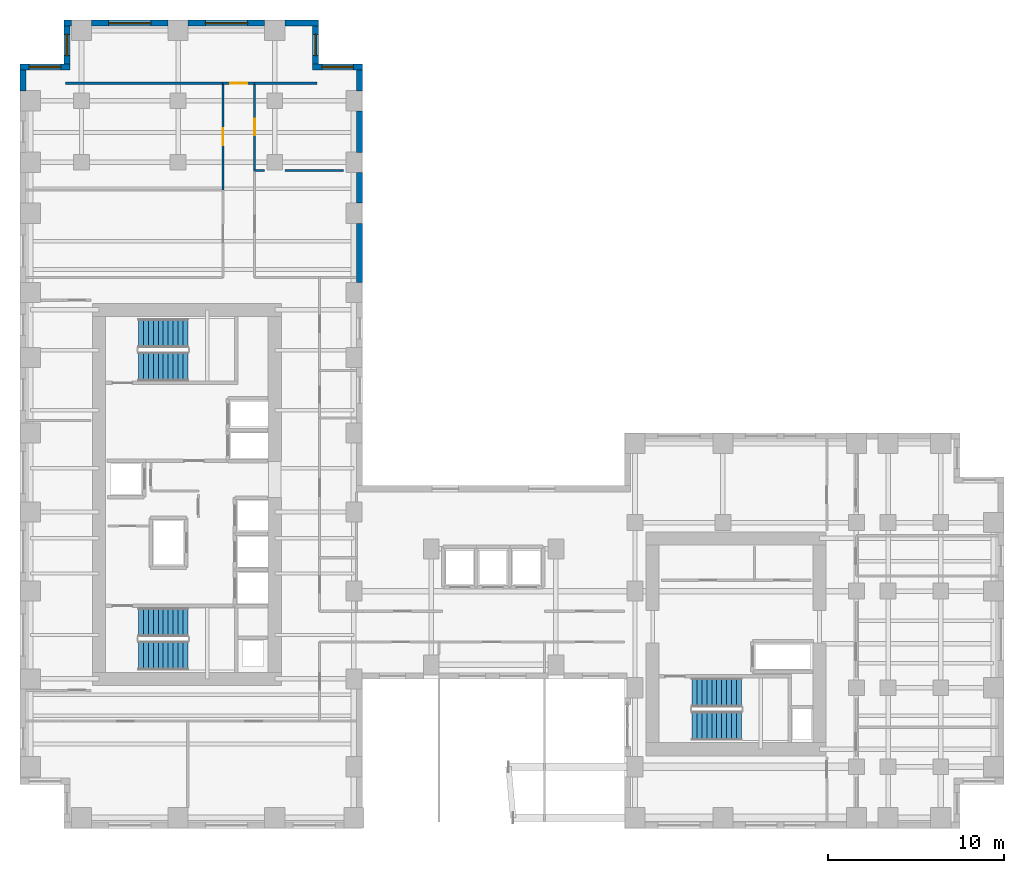
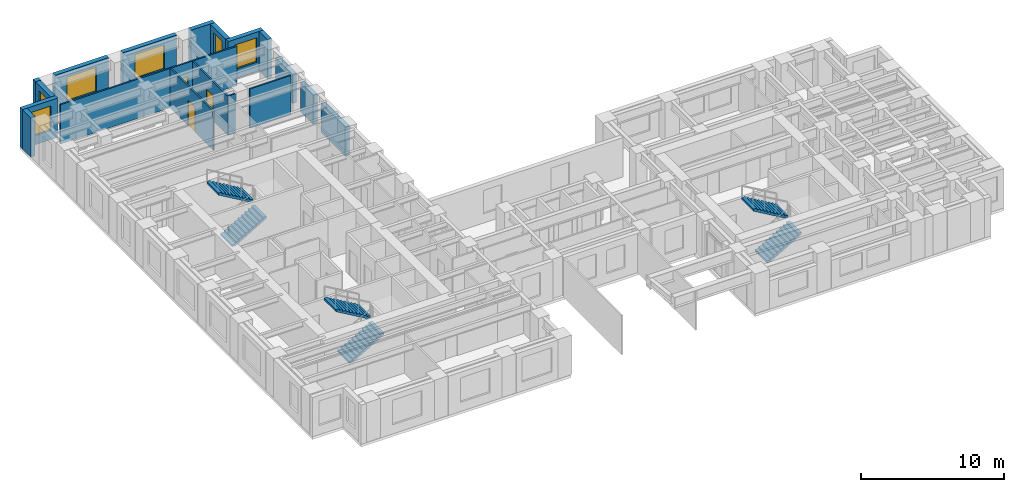
# One storey, part 12 of 14: 20 walls, 6 stair flights, 6 windows, 3 doors, 9 openings, 3 elements without a shape of their own.
"""IFC4 building model written with IfcOpenShell, lengths in metres."""

from ifc_helpers import new_model, si_unit, direction, frame, frame_2d, origin, place, context, subcontext, project, spatial, polyline, rectangle, outline, extrude, source, transform, mapped, material, layer, layer_set, type_object, element, fill, aggregate, save


model = new_model("IFC4")

# Units and contexts
model_context = context("Model", 3, precision=1e-05, world=origin(), true_north=direction((0.0, 1.0)))
body_context = subcontext(model_context, "Body", "Model", "MODEL_VIEW")
ifc_project = project(units=[si_unit("LENGTHUNIT", "METRE"), si_unit("AREAUNIT", "SQUARE_METRE"), si_unit("VOLUMEUNIT", "CUBIC_METRE"), si_unit("PLANEANGLEUNIT", "RADIAN"), si_unit("MASSUNIT", "GRAM", prefix="KILO")], contexts=[model_context])

# Site, building, storey
site_placement = place(None, origin())
site = spatial("IfcSite", under=ifc_project, at=site_placement, CompositionType="ELEMENT")
building_placement = place(site_placement, origin())
building = spatial("IfcBuilding", under=site, at=building_placement, Name="Kharzan Plaza Tower", CompositionType="ELEMENT")
storey_placement = place(building_placement, frame((0.0, 0.0, 88.199951171875)))
storey = spatial("IfcBuildingStorey", under=building, at=storey_placement, Name="L23", CompositionType="ELEMENT", Elevation=88.199951171875)

# Wall, opening, window
ifc_material_1 = material(Name="Concrete C40/50", Category="concrete")
ifc_layer_1 = layer(ifc_material_1, 0.35009765625)
ifc_layer_set_1 = layer_set([ifc_layer_1], Name="Concrete C40/50")
wall_type_1 = type_object("IfcWallType", Name="WL-EXT-MAS-Z2", PredefinedType="SOLIDWALL", material=ifc_layer_set_1)
wall_1_placement = place(storey_placement, frame((19.5, 43.324951171875, 0.0), z_axis=(0.0, 0.0, 1.0), x_axis=(-1.0, 0.0, 0.0)))
wall_1 = element("IfcWall", 1, at=wall_1_placement, inside=storey, type_object=wall_type_1, Name="L23 Masonry-Frame Exterior Wall 08", PredefinedType="SOLIDWALL", context=body_context, shape_type="SweptSolid", body=[
    extrude(rectangle(XDim=2.85009765625, YDim=0.35009765625, at=frame_2d((1.425048828125, 0.0))), origin(), (0.0, 0.0, 1.0), 3.364990234375),
])
opening_1_placement = place(wall_1_placement, frame((0.52490234375, 0.0, 0.780029296875)))
opening_1 = element("IfcOpeningElement", 2, at=opening_1_placement, cuts=wall_1, Name="Opening W1", PredefinedType="OPENING", context=body_context, shape_type="SweptSolid", body=[
    extrude(rectangle(XDim=1.800048828125, YDim=2.10009765625, at=frame_2d((0.89990234375, 1.050048828125))), frame((0.0, 0.18505859375, 0.0), z_axis=(0.0, -1.0, 0.0), x_axis=(1.0, 0.0, 0.0)), (0.0, 0.0, 1.0), 0.3701171875),
])
ifc_material_2 = material(Name="Low-E Double Glazing", Category="glass")
window_type_1 = type_object("IfcWindowType", Name="WN-REC-1800x2100", PartitioningType="SINGLE_PANEL", PredefinedType="WINDOW", material=ifc_material_2)
shared_shape_1 = source(origin(), body_context, "Body", "SweptSolid", [
    extrude(rectangle(XDim=1.800048828125, YDim=2.10009765625, at=frame_2d((0.89990234375, 1.050048828125))), frame((0.0, 0.030029296875, 0.0), z_axis=(0.0, -1.0, 0.0), x_axis=(1.0, 0.0, 0.0)), (0.0, 0.0, 1.0), 0.06005859375),
])
window_1_placement = place(opening_1_placement, origin())
window_1 = element("IfcWindow", 3, at=window_1_placement, inside=storey, type_object=window_type_1, Name="L23 Recessed Solar-Control Window 08-1", OverallHeight=2.10009765625, OverallWidth=1.800048828125, PartitioningType="SINGLE_PANEL", PredefinedType="WINDOW", context=body_context, shape_type="MappedRepresentation", body=[
    mapped(shared_shape_1, transform((0.0, 0.0, 0.0), x_axis=(1.0, 0.0, 0.0), y_axis=(0.0, 1.0, 0.0), z_axis=(0.0, 0.0, 1.0))),
])
fill(opening_1, window_1)

wall_2_placement = place(storey_placement, frame((16.824951171875, 43.498046875, 0.0), z_axis=(0.0, 0.0, 1.0), x_axis=(0.0, 1.0, 0.0)))
wall_2 = element("IfcWall", 4, at=wall_2_placement, inside=storey, type_object=wall_type_1, Name="L23 Masonry-Frame Exterior Wall 09", PredefinedType="SOLIDWALL", context=body_context, shape_type="SweptSolid", body=[
    extrude(rectangle(XDim=2.154052734375, YDim=0.35009765625, at=frame_2d((1.0771484375, 0.0))), origin(), (0.0, 0.0, 1.0), 3.364990234375),
])
opening_2_placement = place(wall_2_placement, frame((0.47705078125, 0.0, 0.780029296875)))
opening_2 = element("IfcOpeningElement", 5, at=opening_2_placement, cuts=wall_2, Name="Opening W3", PredefinedType="OPENING", context=body_context, shape_type="SweptSolid", body=[
    extrude(rectangle(XDim=1.199951171875, YDim=2.10009765625, at=frame_2d((0.60009765625, 1.050048828125))), frame((0.0, 0.18505859375, 0.0), z_axis=(0.0, -1.0, 0.0), x_axis=(1.0, 0.0, 0.0)), (0.0, 0.0, 1.0), 0.3701171875),
])
window_type_2 = type_object("IfcWindowType", Name="WN-REC-1200x2100", PartitioningType="SINGLE_PANEL", PredefinedType="WINDOW", material=ifc_material_2)
shared_shape_2 = source(origin(), body_context, "Body", "SweptSolid", [
    extrude(rectangle(XDim=1.199951171875, YDim=2.10009765625, at=frame_2d((0.60009765625, 1.050048828125))), frame((0.0, 0.030029296875, 0.0), z_axis=(0.0, -1.0, 0.0), x_axis=(1.0, 0.0, 0.0)), (0.0, 0.0, 1.0), 0.06005859375),
])
window_2_placement = place(opening_2_placement, origin())
window_2 = element("IfcWindow", 6, at=window_2_placement, inside=storey, type_object=window_type_2, Name="L23 Recessed Solar-Control Window 09-1", OverallHeight=2.10009765625, OverallWidth=1.199951171875, PartitioningType="SINGLE_PANEL", PredefinedType="WINDOW", context=body_context, shape_type="MappedRepresentation", body=[
    mapped(shared_shape_2, transform((0.0, 0.0, 0.0), x_axis=(1.0, 0.0, 0.0), y_axis=(0.0, 1.0, 0.0), z_axis=(0.0, 0.0, 1.0))),
])
fill(opening_2, window_2)

wall_3_placement = place(storey_placement, frame((13.927001953125, 45.824951171875, 0.0), z_axis=(0.0, 0.0, 1.0), x_axis=(-1.0, 0.0, 0.0)))
wall_3 = element("IfcWall", 7, at=wall_3_placement, inside=storey, type_object=wall_type_1, Name="L23 Masonry-Frame Exterior Wall 11", PredefinedType="SOLIDWALL", context=body_context, shape_type="SweptSolid", body=[
    extrude(rectangle(XDim=4.35400390625, YDim=0.35009765625, at=frame_2d((2.177001953125, 0.0))), origin(), (0.0, 0.0, 1.0), 3.364990234375),
])
opening_3_placement = place(wall_3_placement, frame((0.97705078125, 0.0, 0.780029296875)))
opening_3 = element("IfcOpeningElement", 8, at=opening_3_placement, cuts=wall_3, Name="Opening W2", PredefinedType="OPENING", context=body_context, shape_type="SweptSolid", body=[
    extrude(rectangle(XDim=2.39990234375, YDim=2.10009765625, at=frame_2d((1.199951171875, 1.050048828125))), frame((0.0, 0.18505859375, 0.0), z_axis=(0.0, -1.0, 0.0), x_axis=(1.0, 0.0, 0.0)), (0.0, 0.0, 1.0), 0.3701171875),
])
window_type_3 = type_object("IfcWindowType", Name="WN-REC-2400x2100", PartitioningType="SINGLE_PANEL", PredefinedType="WINDOW", material=ifc_material_2)
shared_shape_3 = source(origin(), body_context, "Body", "SweptSolid", [
    extrude(rectangle(XDim=2.39990234375, YDim=2.10009765625, at=frame_2d((1.199951171875, 1.050048828125))), frame((0.0, 0.030029296875, 0.0), z_axis=(0.0, -1.0, 0.0), x_axis=(1.0, 0.0, 0.0)), (0.0, 0.0, 1.0), 0.06005859375),
])
window_3_placement = place(opening_3_placement, origin())
window_3 = element("IfcWindow", 9, at=window_3_placement, inside=storey, type_object=window_type_3, Name="L23 Wide Recessed Solar-Control Window 11-1", OverallHeight=2.10009765625, OverallWidth=2.39990234375, PartitioningType="SINGLE_PANEL", PredefinedType="WINDOW", context=body_context, shape_type="MappedRepresentation", body=[
    mapped(shared_shape_3, transform((0.0, 0.0, 0.0), x_axis=(1.0, 0.0, 0.0), y_axis=(0.0, 1.0, 0.0), z_axis=(0.0, 0.0, 1.0))),
])
fill(opening_3, window_3)

wall_4_placement = place(storey_placement, frame((8.427001953125, 45.824951171875, 0.0), z_axis=(0.0, 0.0, 1.0), x_axis=(-1.0, 0.0, 0.0)))
wall_4 = element("IfcWall", 10, at=wall_4_placement, inside=storey, type_object=wall_type_1, Name="L23 Masonry-Frame Exterior Wall 12", PredefinedType="SOLIDWALL", context=body_context, shape_type="SweptSolid", body=[
    extrude(rectangle(XDim=4.35400390625, YDim=0.35009765625, at=frame_2d((2.177001953125, 0.0))), origin(), (0.0, 0.0, 1.0), 3.364990234375),
])
opening_4_placement = place(wall_4_placement, frame((0.97705078125, 0.0, 0.780029296875)))
opening_4 = element("IfcOpeningElement", 11, at=opening_4_placement, cuts=wall_4, Name="Opening W2", PredefinedType="OPENING", context=body_context, shape_type="SweptSolid", body=[
    extrude(rectangle(XDim=2.39990234375, YDim=2.10009765625, at=frame_2d((1.199951171875, 1.050048828125))), frame((0.0, 0.18505859375, 0.0), z_axis=(0.0, -1.0, 0.0), x_axis=(1.0, 0.0, 0.0)), (0.0, 0.0, 1.0), 0.3701171875),
])
window_4_placement = place(opening_4_placement, origin())
window_4 = element("IfcWindow", 12, at=window_4_placement, inside=storey, type_object=window_type_3, Name="L23 Wide Recessed Solar-Control Window 12-1", OverallHeight=2.10009765625, OverallWidth=2.39990234375, PartitioningType="SINGLE_PANEL", PredefinedType="WINDOW", context=body_context, shape_type="MappedRepresentation", body=[
    mapped(shared_shape_3, transform((0.0, 0.0, 0.0), x_axis=(1.0, 0.0, 0.0), y_axis=(0.0, 1.0, 0.0), z_axis=(0.0, 0.0, 1.0))),
])
fill(opening_4, window_4)

wall_5_placement = place(storey_placement, frame((2.675048828125, 45.652099609375, 0.0), z_axis=(0.0, 0.0, 1.0), x_axis=(0.0, -1.0, 0.0)))
wall_5 = element("IfcWall", 13, at=wall_5_placement, inside=storey, type_object=wall_type_1, Name="L23 Masonry-Frame Exterior Wall 14", PredefinedType="SOLIDWALL", context=body_context, shape_type="SweptSolid", body=[
    extrude(rectangle(XDim=2.154052734375, YDim=0.35009765625, at=frame_2d((1.0771484375, 0.0))), origin(), (0.0, 0.0, 1.0), 3.364990234375),
])
opening_5_placement = place(wall_5_placement, frame((0.47705078125, 0.0, 0.780029296875)))
opening_5 = element("IfcOpeningElement", 14, at=opening_5_placement, cuts=wall_5, Name="Opening W3", PredefinedType="OPENING", context=body_context, shape_type="SweptSolid", body=[
    extrude(rectangle(XDim=1.199951171875, YDim=2.10009765625, at=frame_2d((0.60009765625, 1.050048828125))), frame((0.0, 0.18505859375, 0.0), z_axis=(0.0, -1.0, 0.0), x_axis=(1.0, 0.0, 0.0)), (0.0, 0.0, 1.0), 0.3701171875),
])
window_5_placement = place(opening_5_placement, origin())
window_5 = element("IfcWindow", 15, at=window_5_placement, inside=storey, type_object=window_type_2, Name="L23 Recessed Solar-Control Window 14-1", OverallHeight=2.10009765625, OverallWidth=1.199951171875, PartitioningType="SINGLE_PANEL", PredefinedType="WINDOW", context=body_context, shape_type="MappedRepresentation", body=[
    mapped(shared_shape_2, transform((0.0, 0.0, 0.0), x_axis=(1.0, 0.0, 0.0), y_axis=(0.0, 1.0, 0.0), z_axis=(0.0, 0.0, 1.0))),
])
fill(opening_5, window_5)

wall_6_placement = place(storey_placement, frame((2.85009765625, 43.324951171875, 0.0), z_axis=(0.0, 0.0, 1.0), x_axis=(-1.0, 0.0, 0.0)))
wall_6 = element("IfcWall", 16, at=wall_6_placement, inside=storey, type_object=wall_type_1, Name="L23 Masonry-Frame Exterior Wall 15", PredefinedType="SOLIDWALL", context=body_context, shape_type="SweptSolid", body=[
    extrude(rectangle(XDim=2.85009765625, YDim=0.35009765625, at=frame_2d((1.425048828125, 0.0))), origin(), (0.0, 0.0, 1.0), 3.364990234375),
])
opening_6_placement = place(wall_6_placement, frame((0.52490234375, 0.0, 0.780029296875)))
opening_6 = element("IfcOpeningElement", 17, at=opening_6_placement, cuts=wall_6, Name="Opening W1", PredefinedType="OPENING", context=body_context, shape_type="SweptSolid", body=[
    extrude(rectangle(XDim=1.800048828125, YDim=2.10009765625, at=frame_2d((0.89990234375, 1.050048828125))), frame((0.0, 0.18505859375, 0.0), z_axis=(0.0, -1.0, 0.0), x_axis=(1.0, 0.0, 0.0)), (0.0, 0.0, 1.0), 0.3701171875),
])
window_6_placement = place(opening_6_placement, origin())
window_6 = element("IfcWindow", 18, at=window_6_placement, inside=storey, type_object=window_type_1, Name="L23 Recessed Solar-Control Window 15-1", OverallHeight=2.10009765625, OverallWidth=1.800048828125, PartitioningType="SINGLE_PANEL", PredefinedType="WINDOW", context=body_context, shape_type="MappedRepresentation", body=[
    mapped(shared_shape_1, transform((0.0, 0.0, 0.0), x_axis=(1.0, 0.0, 0.0), y_axis=(0.0, 1.0, 0.0), z_axis=(0.0, 0.0, 1.0))),
])
fill(opening_6, window_6)

# Wall, opening, door
ifc_material_3 = material(Name="Fire-Rated Gypsum Board Partition", Category="gypsum")
ifc_layer_2 = layer(ifc_material_3, 0.125)
ifc_layer_set_2 = layer_set([ifc_layer_2], Name="Fire-Rated Gypsum Board Partition")
wall_type_2 = type_object("IfcWallType", Name="WL-INT-PART-125", PredefinedType="PARTITIONING", material=ifc_layer_set_2)
wall_7_placement = place(storey_placement, frame((13.35009765625, 37.427978515625, 0.0), z_axis=(0.0, 0.0, 1.0), x_axis=(0.0, 1.0, 0.0)))
wall_7 = element("IfcWall", 19, at=wall_7_placement, inside=storey, type_object=wall_type_2, Name="L23 Interior Partition SH-SPE-2", PredefinedType="PARTITIONING", context=body_context, shape_type="SweptSolid", body=[
    extrude(rectangle(XDim=4.971923828125, YDim=0.125, at=frame_2d((2.48583984375, 0.0))), origin(), (0.0, 0.0, 1.0), 3.364990234375),
])
opening_7_placement = place(wall_7_placement, frame((2.010986328125, 0.0, 0.0)))
opening_7 = element("IfcOpeningElement", 20, at=opening_7_placement, cuts=wall_7, Name="Opening OD1", PredefinedType="OPENING", context=body_context, shape_type="SweptSolid", body=[
    extrude(rectangle(XDim=0.949951171875, YDim=2.14990234375, at=frame_2d((0.47509765625, 1.074951171875))), frame((0.0, 0.072509765625, 0.0), z_axis=(0.0, -1.0, 0.0), x_axis=(1.0, 0.0, 0.0)), (0.0, 0.0, 1.0), 0.14501953125),
])
ifc_material_4 = material(Name="Acoustic Solid-Core Stained Oak", Category="timber")
door_type = type_object("IfcDoorType", Name="DR-OFF-SINGLE", OperationType="NOTDEFINED", PredefinedType="DOOR", material=ifc_material_4)
shared_shape_4 = source(origin(), body_context, "Body", "SweptSolid", [
    extrude(rectangle(XDim=0.949951171875, YDim=2.14990234375, at=frame_2d((0.47509765625, 1.074951171875))), frame((0.0, 0.02490234375, 0.0), z_axis=(0.0, -1.0, 0.0), x_axis=(1.0, 0.0, 0.0)), (0.0, 0.0, 1.0), 0.050048828125),
])
door_1_placement = place(opening_7_placement, origin())
door_1 = element("IfcDoor", 21, at=door_1_placement, inside=storey, type_object=door_type, Name="L23 Committee Conference Room Door", OperationType="SINGLE_SWING_LEFT", OverallHeight=2.14990234375, OverallWidth=0.949951171875, PredefinedType="DOOR", context=body_context, shape_type="MappedRepresentation", body=[
    mapped(shared_shape_4, transform((0.0, 0.0, 0.0), x_axis=(1.0, 0.0, 0.0), y_axis=(0.0, 1.0, 0.0), z_axis=(0.0, 0.0, 1.0))),
])
fill(opening_7, door_1)

wall_8_placement = place(storey_placement, frame((11.550048828125, 42.39990234375, 0.0), z_axis=(0.0, 0.0, 1.0), x_axis=(1.0, 0.0, 0.0)))
wall_8 = element("IfcWall", 22, at=wall_8_placement, inside=storey, type_object=wall_type_2, Name="L23 Interior Partition SH-SPHD", PredefinedType="PARTITIONING", context=body_context, shape_type="SweptSolid", body=[
    extrude(rectangle(XDim=1.800048828125, YDim=0.125, at=frame_2d((0.89990234375, 0.0))), origin(), (0.0, 0.0, 1.0), 3.364990234375),
])
opening_8_placement = place(wall_8_placement, frame((0.425048828125, 0.0, 0.0)))
opening_8 = element("IfcOpeningElement", 23, at=opening_8_placement, cuts=wall_8, Name="Opening OD1", PredefinedType="OPENING", context=body_context, shape_type="SweptSolid", body=[
    extrude(rectangle(XDim=0.949951171875, YDim=2.14990234375, at=frame_2d((0.47509765625, 1.074951171875))), frame((0.0, 0.072509765625, 0.0), z_axis=(0.0, -1.0, 0.0), x_axis=(1.0, 0.0, 0.0)), (0.0, 0.0, 1.0), 0.14501953125),
])
door_2_placement = place(opening_8_placement, origin())
door_2 = element("IfcDoor", 24, at=door_2_placement, inside=storey, type_object=door_type, Name="L23 North Boardroom Door", OperationType="SINGLE_SWING_RIGHT", OverallHeight=2.14990234375, OverallWidth=0.949951171875, PredefinedType="DOOR", context=body_context, shape_type="MappedRepresentation", body=[
    mapped(shared_shape_4, transform((0.0, 0.0, 0.0), x_axis=(1.0, 0.0, 0.0), y_axis=(0.0, 1.0, 0.0), z_axis=(0.0, 0.0, 1.0))),
])
fill(opening_8, door_2)

wall_9_placement = place(storey_placement, frame((11.550048828125, 36.322021484375, 0.0), z_axis=(0.0, 0.0, 1.0), x_axis=(0.0, 1.0, 0.0)))
wall_9 = element("IfcWall", 25, at=wall_9_placement, inside=storey, type_object=wall_type_2, Name="L23 Interior Partition SH-SPW-2", PredefinedType="PARTITIONING", context=body_context, shape_type="SweptSolid", body=[
    extrude(rectangle(XDim=6.077880859375, YDim=0.125, at=frame_2d((3.0390625, 0.0))), origin(), (0.0, 0.0, 1.0), 3.364990234375),
])
opening_9_placement = place(wall_9_placement, frame((2.56396484375, 0.0, 0.0)))
opening_9 = element("IfcOpeningElement", 26, at=opening_9_placement, cuts=wall_9, Name="Opening OD1", PredefinedType="OPENING", context=body_context, shape_type="SweptSolid", body=[
    extrude(rectangle(XDim=0.949951171875, YDim=2.14990234375, at=frame_2d((0.47509765625, 1.074951171875))), frame((0.0, 0.072509765625, 0.0), z_axis=(0.0, -1.0, 0.0), x_axis=(1.0, 0.0, 0.0)), (0.0, 0.0, 1.0), 0.14501953125),
])
door_3_placement = place(opening_9_placement, origin())
door_3 = element("IfcDoor", 27, at=door_3_placement, inside=storey, type_object=door_type, Name="L23 Strategy Briefing Room Door", OperationType="SINGLE_SWING_LEFT", OverallHeight=2.14990234375, OverallWidth=0.949951171875, PredefinedType="DOOR", context=body_context, shape_type="MappedRepresentation", body=[
    mapped(shared_shape_4, transform((0.0, 0.0, 0.0), x_axis=(1.0, 0.0, 0.0), y_axis=(0.0, 1.0, 0.0), z_axis=(0.0, 0.0, 1.0))),
])
fill(opening_9, door_3)

# Walls
shared_shape_5 = source(origin(), body_context, "Body", "SweptSolid", [
    extrude(rectangle(XDim=3.5498046875, YDim=0.125, at=frame_2d((1.77490234375, 0.0))), origin(), (0.0, 0.0, 1.0), 3.364990234375),
])
wall_10_placement = place(storey_placement, frame((13.35009765625, 42.39990234375, 0.0), z_axis=(0.0, 0.0, 1.0), x_axis=(1.0, 0.0, 0.0)))
element("IfcWall", 28, at=wall_10_placement, inside=storey, type_object=wall_type_2, Name="L23 Interior Partition SH-SPHE", PredefinedType="PARTITIONING", context=body_context, shape_type="MappedRepresentation", body=[
    mapped(shared_shape_5, transform((0.0, 0.0, 0.0), x_axis=(1.0, 0.0, 0.0), y_axis=(0.0, 1.0, 0.0), z_axis=(0.0, 0.0, 1.0))),
])
shared_shape_6 = source(origin(), body_context, "Body", "SweptSolid", [
    extrude(rectangle(XDim=8.949951171875, YDim=0.125, at=frame_2d((4.47509765625, 0.0))), origin(), (0.0, 0.0, 1.0), 3.364990234375),
])
wall_11_placement = place(storey_placement, frame((2.60009765625, 42.39990234375, 0.0), z_axis=(0.0, 0.0, 1.0), x_axis=(1.0, 0.0, 0.0)))
element("IfcWall", 29, at=wall_11_placement, inside=storey, type_object=wall_type_2, Name="L23 Interior Partition SH-SPHW", PredefinedType="PARTITIONING", context=body_context, shape_type="MappedRepresentation", body=[
    mapped(shared_shape_6, transform((0.0, 0.0, 0.0), x_axis=(1.0, 0.0, 0.0), y_axis=(0.0, 1.0, 0.0), z_axis=(0.0, 0.0, 1.0))),
])
shared_shape_7 = source(origin(), body_context, "Body", "SweptSolid", [
    extrude(rectangle(XDim=1.927001953125, YDim=0.35009765625, at=frame_2d((0.96337890625, 0.0))), origin(), (0.0, 0.0, 1.0), 3.364990234375),
])
wall_12_placement = place(storey_placement, frame((17.0, 45.824951171875, 0.0), z_axis=(0.0, 0.0, 1.0), x_axis=(-1.0, 0.0, 0.0)))
element("IfcWall", 30, at=wall_12_placement, inside=storey, type_object=wall_type_1, Name="L23 Masonry-Frame Exterior Wall 10", PredefinedType="SOLIDWALL", context=body_context, shape_type="MappedRepresentation", body=[
    mapped(shared_shape_7, transform((0.0, 0.0, 0.0), x_axis=(1.0, 0.0, 0.0), y_axis=(0.0, 1.0, 0.0), z_axis=(0.0, 0.0, 1.0))),
])
shared_shape_8 = source(origin(), body_context, "Body", "SweptSolid", [
    extrude(rectangle(XDim=0.427001953125, YDim=0.35009765625, at=frame_2d((0.21337890625, 0.0))), origin(), (0.0, 0.0, 1.0), 3.364990234375),
])
wall_13_placement = place(storey_placement, frame((2.927001953125, 45.824951171875, 0.0), z_axis=(0.0, 0.0, 1.0), x_axis=(-1.0, 0.0, 0.0)))
element("IfcWall", 31, at=wall_13_placement, inside=storey, type_object=wall_type_1, Name="L23 Masonry-Frame Exterior Wall 13", PredefinedType="SOLIDWALL", context=body_context, shape_type="MappedRepresentation", body=[
    mapped(shared_shape_8, transform((0.0, 0.0, 0.0), x_axis=(1.0, 0.0, 0.0), y_axis=(0.0, 1.0, 0.0), z_axis=(0.0, 0.0, 1.0))),
])
shared_shape_9 = source(origin(), body_context, "Body", "SweptSolid", [
    extrude(rectangle(XDim=1.17919921875, YDim=0.35009765625, at=frame_2d((0.589599609375, 0.0))), origin(), (0.0, 0.0, 1.0), 3.364990234375),
])
for number, where, z_axis, x_axis, name in (
    (32, (19.324951171875, 41.972900390625, 0.0), (0.0, 0.0, 1.0), (0.0, 1.0, 0.0), "L23 Masonry-Frame Exterior Wall 07"),
    (33, (0.175048828125, 43.152099609375, 0.0), (0.0, 0.0, 1.0), (0.0, -1.0, 0.0), "L23 Masonry-Frame Exterior Wall 16"),
):
    element("IfcWall", number, at=place(storey_placement, frame(where, z_axis=z_axis, x_axis=x_axis)), inside=storey, type_object=wall_type_1, Name=name, PredefinedType="SOLIDWALL", context=body_context, shape_type="MappedRepresentation", body=[
        mapped(shared_shape_9, transform((0.0, 0.0, 0.0), x_axis=(1.0, 0.0, 0.0), y_axis=(0.0, 1.0, 0.0), z_axis=(0.0, 0.0, 1.0))),
    ])
shared_shape_10 = source(origin(), body_context, "Body", "SweptSolid", [
    extrude(rectangle(XDim=1.75390625, YDim=0.35009765625, at=frame_2d((0.876953125, 0.0))), origin(), (0.0, 0.0, 1.0), 2.51904296875),
])
wall_14_placement = place(storey_placement, frame((19.324951171875, 35.572998046875, 0.0), z_axis=(0.0, 0.0, 1.0), x_axis=(0.0, 1.0, 0.0)))
element("IfcWall", 34, at=wall_14_placement, inside=storey, type_object=wall_type_1, Name="L23 Masonry-Frame Exterior Wall 05", PredefinedType="SOLIDWALL", context=body_context, shape_type="MappedRepresentation", body=[
    mapped(shared_shape_10, transform((0.0, 0.0, 0.0), x_axis=(1.0, 0.0, 0.0), y_axis=(0.0, 1.0, 0.0), z_axis=(0.0, 0.0, 1.0))),
])
shared_shape_11 = source(origin(), body_context, "Body", "SweptSolid", [
    extrude(rectangle(XDim=3.35400390625, YDim=0.35009765625, at=frame_2d((1.677001953125, 0.0))), origin(), (0.0, 0.0, 1.0), 2.51904296875),
])
wall_15_placement = place(storey_placement, frame((19.324951171875, 31.072998046875, 0.0), z_axis=(0.0, 0.0, 1.0), x_axis=(0.0, 1.0, 0.0)))
element("IfcWall", 35, at=wall_15_placement, inside=storey, type_object=wall_type_1, Name="L23 Masonry-Frame Exterior Wall 04", PredefinedType="SOLIDWALL", context=body_context, shape_type="MappedRepresentation", body=[
    mapped(shared_shape_11, transform((0.0, 0.0, 0.0), x_axis=(1.0, 0.0, 0.0), y_axis=(0.0, 1.0, 0.0), z_axis=(0.0, 0.0, 1.0))),
])
shared_shape_12 = source(origin(), body_context, "Body", "SweptSolid", [
    extrude(rectangle(XDim=2.35400390625, YDim=0.35009765625, at=frame_2d((1.177001953125, 0.0))), origin(), (0.0, 0.0, 1.0), 2.51904296875),
])
wall_16_placement = place(storey_placement, frame((19.324951171875, 38.472900390625, 0.0), z_axis=(0.0, 0.0, 1.0), x_axis=(0.0, 1.0, 0.0)))
element("IfcWall", 36, at=wall_16_placement, inside=storey, type_object=wall_type_1, Name="L23 Masonry-Frame Exterior Wall 06", PredefinedType="SOLIDWALL", context=body_context, shape_type="MappedRepresentation", body=[
    mapped(shared_shape_12, transform((0.0, 0.0, 0.0), x_axis=(1.0, 0.0, 0.0), y_axis=(0.0, 1.0, 0.0), z_axis=(0.0, 0.0, 1.0))),
])
shared_shape_13 = source(origin(), body_context, "Body", "SweptSolid", [
    extrude(rectangle(XDim=0.559814453125, YDim=0.125, at=frame_2d((0.27978515625, 0.0))), origin(), (0.0, 0.0, 1.0), 3.364990234375),
])
wall_17_placement = place(storey_placement, frame((13.35009765625, 37.427978515625, 0.0), z_axis=(0.0, 0.0, 1.0), x_axis=(1.0, 0.0, 0.0)))
element("IfcWall", 37, at=wall_17_placement, inside=storey, type_object=wall_type_2, Name="L23 Interior Partition SH-NEH-1-S1", PredefinedType="PARTITIONING", context=body_context, shape_type="MappedRepresentation", body=[
    mapped(shared_shape_13, transform((0.0, 0.0, 0.0), x_axis=(1.0, 0.0, 0.0), y_axis=(0.0, 1.0, 0.0), z_axis=(0.0, 0.0, 1.0))),
])
shared_shape_14 = source(origin(), body_context, "Body", "SweptSolid", [
    extrude(rectangle(XDim=3.31982421875, YDim=0.125, at=frame_2d((1.659912109375, 0.0))), origin(), (0.0, 0.0, 1.0), 3.364990234375),
])
wall_18_placement = place(storey_placement, frame((15.090087890625, 37.427978515625, 0.0), z_axis=(0.0, 0.0, 1.0), x_axis=(1.0, 0.0, 0.0)))
element("IfcWall", 38, at=wall_18_placement, inside=storey, type_object=wall_type_2, Name="L23 Interior Partition SH-NEH-1-S2", PredefinedType="PARTITIONING", context=body_context, shape_type="MappedRepresentation", body=[
    mapped(shared_shape_14, transform((0.0, 0.0, 0.0), x_axis=(1.0, 0.0, 0.0), y_axis=(0.0, 1.0, 0.0), z_axis=(0.0, 0.0, 1.0))),
])

# Stair, stair flights
stair_type_1 = type_object("IfcStairType", Name="STR-ST-1", PredefinedType="HALF_TURN_STAIR", material=ifc_material_1)
stair_1_placement = place(storey_placement, origin())
stair_1 = element("IfcStair", 39, at=stair_1_placement, inside=storey, type_object=stair_type_1, Name="L23 Protected Exit Stair ST-1", PredefinedType="HALF_TURN_STAIR")
stair_flight_type = type_object("IfcStairFlightType", Name="SFL-1650-R173", PredefinedType="STRAIGHT", material=ifc_material_1)
shared_shape_15 = source(origin(), body_context, "Body", "SweptSolid", [
    extrude(outline(polyline([(-0.0029296875, -0.011962890625), (-0.0029296875, 0.0), (0.0, 0.0), (0.0, 0.16357421875), (0.280029296875, 0.16357421875), (0.280029296875, 0.3271484375), (0.56005859375, 0.3271484375), (0.56005859375, 0.49072265625), (0.840087890625, 0.49072265625), (0.840087890625, 0.654296875), (1.1201171875, 0.654296875), (1.1201171875, 0.81787109375), (1.400146484375, 0.81787109375), (1.400146484375, 0.9814453125), (1.68017578125, 0.9814453125), (1.68017578125, 1.14501953125), (1.960205078125, 1.14501953125), (1.960205078125, 1.30859375), (2.240234375, 1.30859375), (2.240234375, 1.47216796875), (2.520263671875, 1.47216796875), (2.520263671875, 1.6357421875), (2.80029296875, 1.6357421875), (2.80029296875, 1.79931640625), (2.80029296875, 1.462158203125), (0.297119140625, 0.0), (0.297119140625, -0.011962890625), (-0.0029296875, -0.011962890625)])), frame((0.0, 0.824951171875, 0.0), z_axis=(0.0, -1.0, 0.0), x_axis=(1.0, 0.0, 0.0)), (0.0, 0.0, 1.0), 1.64990234375),
])
stair_flight_1_placement = place(storey_placement, frame((6.75, 9.824951171875, 0.0), z_axis=(0.0, 0.0, 1.0), x_axis=(1.0, 0.0, 0.0)))
stair_flight_1 = element("IfcStairFlight", 40, at=stair_flight_1_placement, type_object=stair_flight_type, Name="ST-1 flight 1", NumberOfRisers=11, NumberOfTreads=10, PredefinedType="STRAIGHT", RiserHeight=0.163636364, TreadLength=0.28, context=body_context, shape_type="MappedRepresentation", body=[
    mapped(shared_shape_15, transform((0.0, 0.0, 0.0), x_axis=(1.0, 0.0, 0.0), y_axis=(0.0, 1.0, 0.0), z_axis=(0.0, 0.0, 1.0))),
])
stair_flight_2_placement = place(storey_placement, frame((9.550048828125, 11.72509765625, 1.800048828125), z_axis=(0.0, 0.0, 1.0), x_axis=(-1.0, 0.0, 0.0)))
stair_flight_2 = element("IfcStairFlight", 41, at=stair_flight_2_placement, type_object=stair_flight_type, Name="ST-1 flight 2", NumberOfRisers=11, NumberOfTreads=10, PredefinedType="STRAIGHT", RiserHeight=0.163636364, TreadLength=0.28, context=body_context, shape_type="MappedRepresentation", body=[
    mapped(shared_shape_15, transform((0.0, 0.0, 0.0), x_axis=(1.0, 0.0, 0.0), y_axis=(0.0, 1.0, 0.0), z_axis=(0.0, 0.0, 1.0))),
])
aggregate(stair_1, [stair_flight_1, stair_flight_2])

stair_type_2 = type_object("IfcStairType", Name="STR-ST-2", PredefinedType="HALF_TURN_STAIR", material=ifc_material_1)
stair_2_placement = place(storey_placement, origin())
stair_2 = element("IfcStair", 42, at=stair_2_placement, inside=storey, type_object=stair_type_2, Name="L23 Protected Exit Stair ST-2", PredefinedType="HALF_TURN_STAIR")
stair_flight_3_placement = place(storey_placement, frame((6.75, 26.27490234375, 0.0), z_axis=(0.0, 0.0, 1.0), x_axis=(1.0, 0.0, 0.0)))
stair_flight_3 = element("IfcStairFlight", 43, at=stair_flight_3_placement, type_object=stair_flight_type, Name="ST-2 flight 1", NumberOfRisers=11, NumberOfTreads=10, PredefinedType="STRAIGHT", RiserHeight=0.163636364, TreadLength=0.28, context=body_context, shape_type="MappedRepresentation", body=[
    mapped(shared_shape_15, transform((0.0, 0.0, 0.0), x_axis=(1.0, 0.0, 0.0), y_axis=(0.0, 1.0, 0.0), z_axis=(0.0, 0.0, 1.0))),
])
stair_flight_4_placement = place(storey_placement, frame((9.550048828125, 28.175048828125, 1.800048828125), z_axis=(0.0, 0.0, 1.0), x_axis=(-1.0, 0.0, 0.0)))
stair_flight_4 = element("IfcStairFlight", 44, at=stair_flight_4_placement, type_object=stair_flight_type, Name="ST-2 flight 2", NumberOfRisers=11, NumberOfTreads=10, PredefinedType="STRAIGHT", RiserHeight=0.163636364, TreadLength=0.28, context=body_context, shape_type="MappedRepresentation", body=[
    mapped(shared_shape_15, transform((0.0, 0.0, 0.0), x_axis=(1.0, 0.0, 0.0), y_axis=(0.0, 1.0, 0.0), z_axis=(0.0, 0.0, 1.0))),
])
aggregate(stair_2, [stair_flight_3, stair_flight_4])

stair_type_3 = type_object("IfcStairType", Name="STR-ST-3", PredefinedType="HALF_TURN_STAIR", material=ifc_material_1)
stair_3_placement = place(storey_placement, origin())
stair_3 = element("IfcStair", 45, at=stair_3_placement, inside=storey, type_object=stair_type_3, Name="L23 Protected Exit Stair ST-3", PredefinedType="HALF_TURN_STAIR")
stair_flight_5_placement = place(storey_placement, frame((38.25, 5.824951171875, 0.0), z_axis=(0.0, 0.0, 1.0), x_axis=(1.0, 0.0, 0.0)))
stair_flight_5 = element("IfcStairFlight", 46, at=stair_flight_5_placement, type_object=stair_flight_type, Name="ST-3 flight 1", NumberOfRisers=11, NumberOfTreads=10, PredefinedType="STRAIGHT", RiserHeight=0.163636364, TreadLength=0.28, context=body_context, shape_type="MappedRepresentation", body=[
    mapped(shared_shape_15, transform((0.0, 0.0, 0.0), x_axis=(1.0, 0.0, 0.0), y_axis=(0.0, 1.0, 0.0), z_axis=(0.0, 0.0, 1.0))),
])
stair_flight_6_placement = place(storey_placement, frame((41.050048828125, 7.72509765625, 1.800048828125), z_axis=(0.0, 0.0, 1.0), x_axis=(-1.0, 0.0, 0.0)))
stair_flight_6 = element("IfcStairFlight", 47, at=stair_flight_6_placement, type_object=stair_flight_type, Name="ST-3 flight 2", NumberOfRisers=11, NumberOfTreads=10, PredefinedType="STRAIGHT", RiserHeight=0.163636364, TreadLength=0.28, context=body_context, shape_type="MappedRepresentation", body=[
    mapped(shared_shape_15, transform((0.0, 0.0, 0.0), x_axis=(1.0, 0.0, 0.0), y_axis=(0.0, 1.0, 0.0), z_axis=(0.0, 0.0, 1.0))),
])
aggregate(stair_3, [stair_flight_5, stair_flight_6])

save(model, "model.ifc")
